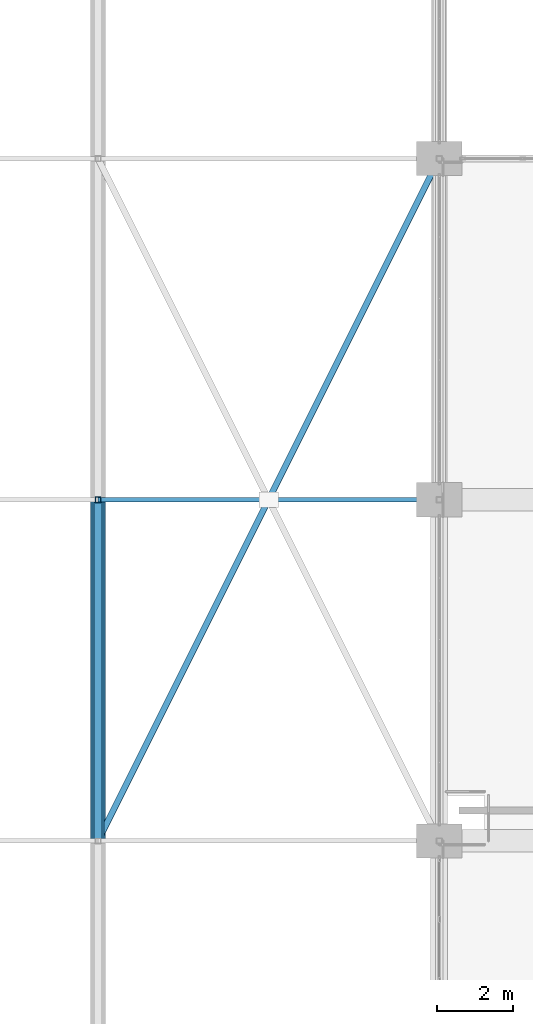
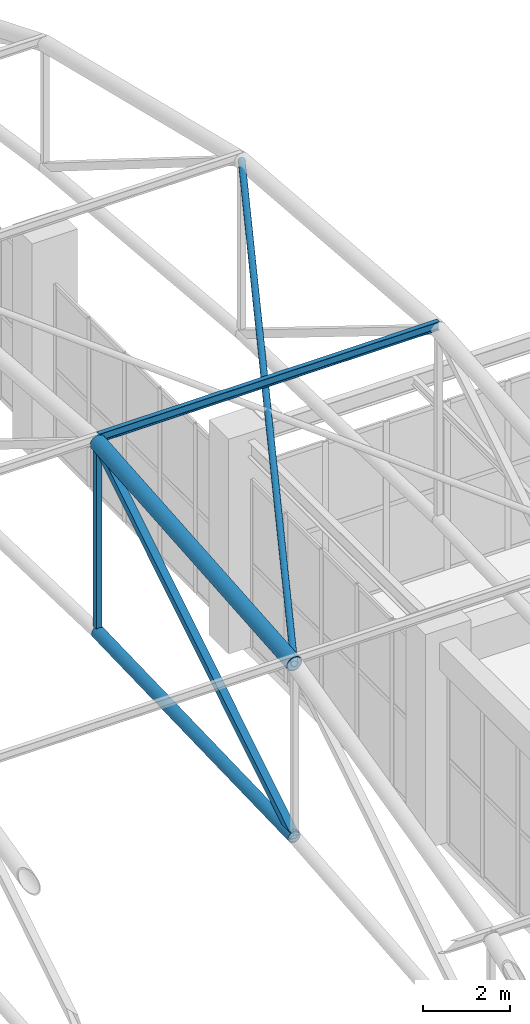
# One storey, part 141 of 223: 6 members.
"""IFC4 building model written with IfcOpenShell, lengths in metres."""

from ifc_helpers import new_model, si_unit, direction, frame, origin, origin_2d, place, context, subcontext, project, spatial, hollow_rectangle, hollow_circle, i_section, extrude, material, material_profile, profile_set, type_object, element, save


model = new_model("IFC4")

# Units and contexts
model_context = context("Model", 3, precision=1e-05, world=origin(), true_north=direction((0.0, 1.0)))
body_context = subcontext(model_context, "Body", "Model", "MODEL_VIEW")
ifc_project = project(units=[si_unit("LENGTHUNIT", "METRE"), si_unit("AREAUNIT", "SQUARE_METRE"), si_unit("VOLUMEUNIT", "CUBIC_METRE"), si_unit("PLANEANGLEUNIT", "RADIAN"), si_unit("MASSUNIT", "GRAM", prefix="KILO")], contexts=[model_context])

# Site, building, storey
site_placement = place(None, origin())
site = spatial("IfcSite", under=ifc_project, at=site_placement, CompositionType="ELEMENT")
building_placement = place(site_placement, origin())
building = spatial("IfcBuilding", under=site, at=building_placement, Name="Dornveld Trade and Exhibition Forum", CompositionType="ELEMENT")
storey_placement = place(building_placement, frame((0.0, 0.0, 6.0)))
storey = spatial("IfcBuildingStorey", under=building, at=storey_placement, Name="L01", CompositionType="ELEMENT", Elevation=6.0)

# Members
ifc_material_1 = material(Name="Steel S355J2", Category="steel")
ifc_material_profile_1 = material_profile(ifc_material_1, hollow_circle(Radius=0.161865234375, WallThickness=0.01611328125, at=origin_2d()), Name="CHS 323.9x16")
ifc_profile_set_1 = profile_set([ifc_material_profile_1], Name="Steel S355J2")
member_type_1 = type_object("IfcMemberType", Name="MEM-ARCH-BC", PredefinedType="CHORD", material=ifc_profile_set_1)
member_1_placement = place(storey_placement, frame((162.0, 126.0, 8.4833984375), z_axis=(0.0, 0.999561545365, 0.029609407757), x_axis=(-1.0, 0.0, 0.0)))
element("IfcMember", 1, at=member_1_placement, inside=storey, type_object=member_type_1, Name="H1 truss 8 tie chord 3", PredefinedType="CHORD", context=body_context, shape_type="SweptSolid", body=[
    extrude(hollow_circle(Radius=0.161865234375, WallThickness=0.01611328125, at=origin_2d()), origin(), (0.0, 0.0, 1.0), 9.00390625),
])
ifc_material_2 = material(Name="Steel S355J2", Category="steel")
ifc_material_profile_2 = material_profile(ifc_material_2, hollow_rectangle(XDim=0.14990234375, YDim=0.14990234375, WallThickness=0.008056640625, at=origin_2d()), Name="SHS 150x150x8")
ifc_profile_set_2 = profile_set([ifc_material_profile_2], Name="Steel S355J2")
member_type_2 = type_object("IfcMemberType", Name="MEM-ARCH-STR", PredefinedType="STRUT", material=ifc_profile_set_2)
member_2_placement = place(storey_placement, frame((162.0, 135.0, 8.75), z_axis=(0.0, 0.0, 1.0), x_axis=(1.0, 0.0, 0.0)))
element("IfcMember", 2, at=member_2_placement, inside=storey, type_object=member_type_2, Name="H1 truss 8 strut 4", PredefinedType="STRUT", context=body_context, shape_type="SweptSolid", body=[
    extrude(hollow_rectangle(XDim=0.14990234375, YDim=0.14990234375, WallThickness=0.008056640625, at=origin_2d()), origin(), (0.0, 0.0, 1.0), 5.300048828125),
])
ifc_material_3 = material(Name="Steel S355J2", Category="steel")
ifc_material_profile_3 = material_profile(ifc_material_3, hollow_circle(Radius=0.203125, WallThickness=0.02001953125, at=origin_2d()), Name="CHS 406.4x20")
ifc_profile_set_3 = profile_set([ifc_material_profile_3], Name="Steel S355J2")
member_type_3 = type_object("IfcMemberType", Name="MEM-ARCH-TC", PredefinedType="CHORD", material=ifc_profile_set_3)
member_3_placement = place(storey_placement, frame((162.0, 126.0, 13.316650390625), z_axis=(0.0, 0.996696239312, 0.081219496064), x_axis=(-1.0, 0.0, 0.0)))
element("IfcMember", 3, at=member_3_placement, inside=storey, type_object=member_type_3, Name="H1 truss 8 top chord 3", PredefinedType="CHORD", context=body_context, shape_type="SweptSolid", body=[
    extrude(hollow_circle(Radius=0.203125, WallThickness=0.02001953125, at=origin_2d()), origin(), (0.0, 0.0, 1.0), 9.02978515625),
])
ifc_material_4 = material(Name="Steel S355J2", Category="steel")
ifc_material_profile_4 = material_profile(ifc_material_4, hollow_rectangle(XDim=0.199951171875, YDim=0.199951171875, WallThickness=0.010009765625, at=origin_2d()), Name="SHS 200x200x10")
ifc_profile_set_4 = profile_set([ifc_material_profile_4], Name="Steel S355J2")
member_type_4 = type_object("IfcMemberType", Name="MEM-ARCH-WEB", PredefinedType="BRACE", material=ifc_profile_set_4)
member_4_placement = place(storey_placement, frame((162.0, 126.0, 8.4833984375), z_axis=(0.0, 0.850467158024, 0.526028148603), x_axis=(-1.0, 0.0, 0.0)))
element("IfcMember", 4, at=member_4_placement, inside=storey, type_object=member_type_4, Name="H1 truss 8 web 3", PredefinedType="BRACE", context=body_context, shape_type="SweptSolid", body=[
    extrude(hollow_rectangle(XDim=0.199951171875, YDim=0.199951171875, WallThickness=0.010009765625, at=origin_2d()), origin(), (0.0, 0.0, 1.0), 10.58251953125),
])
ifc_material_5 = material(Name="Steel S355J2", Category="steel")
ifc_material_profile_5 = material_profile(ifc_material_5, hollow_circle(Radius=0.084228515625, WallThickness=0.008056640625, at=origin_2d()), Name="CHS 168.3x8")
ifc_profile_set_5 = profile_set([ifc_material_profile_5], Name="Steel S355J2")
member_type_5 = type_object("IfcMemberType", Name="MEM-BRACE-168", PredefinedType="BRACE", material=ifc_profile_set_5)
member_5_placement = place(storey_placement, frame((162.0, 126.0, 13.316650390625), z_axis=(0.4472135955, 0.894427191, 0.0), x_axis=(-0.894427191, 0.4472135955, 0.0)))
element("IfcMember", 5, at=member_5_placement, inside=storey, type_object=member_type_5, Name="H1 roof wind brace 8A", PredefinedType="BRACE", context=body_context, shape_type="SweptSolid", body=[
    extrude(hollow_circle(Radius=0.084228515625, WallThickness=0.008056640625, at=origin_2d()), origin(), (0.0, 0.0, 1.0), 20.12451171875),
])
ifc_material_6 = material(Name="Steel S355J2", Category="steel")
ifc_material_profile_6 = material_profile(ifc_material_6, i_section(OverallWidth=0.1201171875, OverallDepth=0.239990234375, WebThickness=0.006103515625, FlangeThickness=0.009765625, FilletRadius=0.014892578125, at=origin_2d()), Name="IPE 240")
ifc_profile_set_6 = profile_set([ifc_material_profile_6], Name="Steel S355J2")
member_type_6 = type_object("IfcMemberType", Name="MEM-PURLIN-240", PredefinedType="PURLIN", material=ifc_profile_set_6)
member_6_placement = place(storey_placement, frame((162.0, 135.0, 14.181884765625), z_axis=(1.0, 0.0, 0.0), x_axis=(0.0, 1.0, 0.0)))
element("IfcMember", 6, at=member_6_placement, inside=storey, type_object=member_type_6, Name="H1 bay 8 roof purlin 4", PredefinedType="PURLIN", context=body_context, shape_type="SweptSolid", body=[
    extrude(i_section(OverallWidth=0.1201171875, OverallDepth=0.239990234375, WebThickness=0.006103515625, FlangeThickness=0.009765625, FilletRadius=0.014892578125, at=origin_2d()), origin(), (0.0, 0.0, 1.0), 9.0),
])

save(model, "model.ifc")
